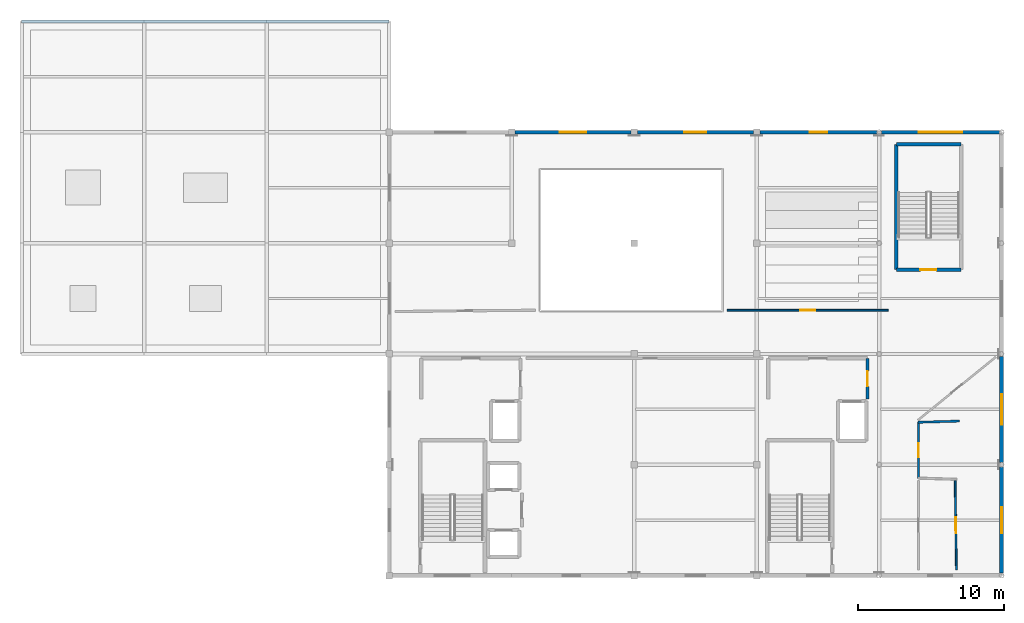
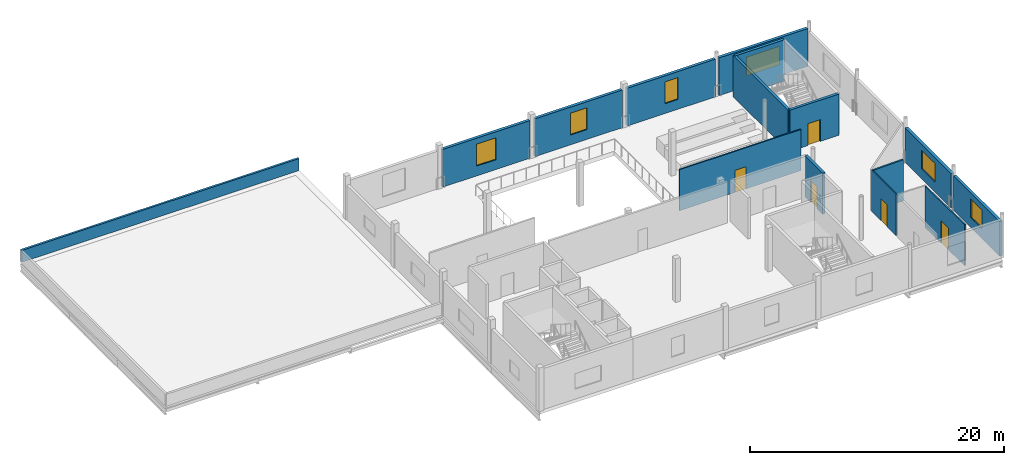
# One storey, part 7 of 13: 15 walls, 6 windows, 5 doors, 11 openings.
"""IFC4 building model written with IfcOpenShell, lengths in metres."""

from ifc_helpers import new_model, si_unit, direction, frame, frame_2d, origin, place, context, subcontext, project, spatial, rectangle, extrude, material, layer, layer_set, type_object, element, fill, save


model = new_model("IFC4")

# Units and contexts
model_context = context("Model", 3, precision=1e-05, world=origin(), true_north=direction((0.0, 1.0)))
body_context = subcontext(model_context, "Body", "Model", "MODEL_VIEW")
ifc_project = project(units=[si_unit("LENGTHUNIT", "METRE"), si_unit("AREAUNIT", "SQUARE_METRE"), si_unit("VOLUMEUNIT", "CUBIC_METRE"), si_unit("PLANEANGLEUNIT", "RADIAN"), si_unit("MASSUNIT", "GRAM", prefix="KILO")], contexts=[model_context])

# Site, building, storey
site_placement = place(None, origin())
site = spatial("IfcSite", under=ifc_project, at=site_placement, CompositionType="ELEMENT")
building_placement = place(site_placement, origin())
building = spatial("IfcBuilding", under=site, at=building_placement, Name="Zuvorla Pavilion Media Centre", CompositionType="ELEMENT")
storey_placement = place(building_placement, frame((0.0, 0.0, 22.199951171875)))
storey = spatial("IfcBuildingStorey", under=building, at=storey_placement, Name="L05", CompositionType="ELEMENT", Elevation=22.199951171875)

# Wall, opening, door
ifc_material_1 = material(Name="Acoustic masonry blockwork C32/40", Category="masonry")
ifc_layer_1 = layer(ifc_material_1, 0.219970703125)
ifc_layer_set_1 = layer_set([ifc_layer_1], Name="Acoustic masonry blockwork C32/40")
wall_type_1 = type_object("IfcWallType", Name="WL-CMP-220", PredefinedType="SOLIDWALL", material=ifc_layer_set_1)
wall_1_placement = place(storey_placement, frame((99.60009765625, 18.10009765625, 0.0), z_axis=(0.0, 0.0, 1.0), x_axis=(0.0, 1.0, 0.0)))
wall_1 = element("IfcWall", 1, at=wall_1_placement, inside=storey, type_object=wall_type_1, Name="L05 solid wall IW22 198", PredefinedType="SOLIDWALL", context=body_context, shape_type="SweptSolid", body=[
    extrude(rectangle(XDim=2.7998046875, YDim=0.219970703125, at=frame_2d((1.39990234375, 0.0))), origin(), (0.0, 0.0, 1.0), 3.949951171875),
])
opening_1_placement = place(wall_1_placement, frame((0.875, 0.0, 0.0)))
opening_1 = element("IfcOpeningElement", 2, at=opening_1_placement, cuts=wall_1, Name="Opening FD04", PredefinedType="OPENING", context=body_context, shape_type="SweptSolid", body=[
    extrude(rectangle(XDim=1.050048828125, YDim=2.10009765625, at=frame_2d((0.52490234375, 1.050048828125))), frame((0.0, 0.119873046875, 0.0), z_axis=(0.0, -1.0, 0.0), x_axis=(1.0, 0.0, 0.0)), (0.0, 0.0, 1.0), 0.239990234375),
])
ifc_material_2 = material(Name="Acoustic timber fire door leaf in steel frame", Category="steel")
door_type_1 = type_object("IfcDoorType", Name="DR-INT-FD04", OperationType="NOTDEFINED", PredefinedType="DOOR", material=ifc_material_2)
door_1_placement = place(opening_1_placement, origin())
door_1 = element("IfcDoor", 3, at=door_1_placement, inside=storey, type_object=door_type_1, Name="Firefighting lobby 2 access door FD04 77", OperationType="SINGLE_SWING_LEFT", OverallHeight=2.10009765625, OverallWidth=1.050048828125, PredefinedType="DOOR", context=body_context, shape_type="SweptSolid", body=[
    extrude(rectangle(XDim=1.050048828125, YDim=2.10009765625, at=frame_2d((0.52490234375, 1.050048828125))), frame((0.0, 0.02490234375, 0.0), z_axis=(0.0, -1.0, 0.0), x_axis=(1.0, 0.0, 0.0)), (0.0, 0.0, 1.0), 0.050048828125),
])
fill(opening_1, door_1)

# Walls
ifc_material_3 = material(Name="Concrete C40/50", Category="concrete")
ifc_layer_2 = layer(ifc_material_3, 0.25)
ifc_layer_set_2 = layer_set([ifc_layer_2], Name="Concrete C40/50")
wall_type_2 = type_object("IfcWallType", Name="WL-COR-250", PredefinedType="SHEAR", material=ifc_layer_set_2)
wall_2_placement = place(storey_placement, frame((101.574951171875, 26.97509765625, 0.0), z_axis=(0.0, 0.0, 1.0), x_axis=(0.0, 1.0, 0.0)))
element("IfcWall", 4, at=wall_2_placement, inside=storey, type_object=wall_type_2, Name="L05 shear wall CW25 325", PredefinedType="SHEAR", context=body_context, shape_type="SweptSolid", body=[
    extrude(rectangle(XDim=8.599853515625, YDim=0.25, at=frame_2d((4.2998046875, 0.0))), origin(), (0.0, 0.0, 1.0), 3.9599609375),
])
wall_3_placement = place(storey_placement, frame((101.574951171875, 35.574951171875, 0.0), z_axis=(0.0, 0.0, 1.0), x_axis=(1.0, 0.0, 0.0)))
element("IfcWall", 5, at=wall_3_placement, inside=storey, type_object=wall_type_2, Name="L05 shear wall CW25 327", PredefinedType="SHEAR", context=body_context, shape_type="SweptSolid", body=[
    extrude(rectangle(XDim=4.449951171875, YDim=0.25, at=frame_2d((2.22509765625, 0.0))), origin(), (0.0, 0.0, 1.0), 3.9599609375),
])

# Wall, opening, door
wall_4_placement = place(storey_placement, frame((101.574951171875, 26.97509765625, 0.0), z_axis=(0.0, 0.0, 1.0), x_axis=(1.0, 0.0, 0.0)))
wall_4 = element("IfcWall", 6, at=wall_4_placement, inside=storey, type_object=wall_type_2, Name="L05 shear wall CW25 328", PredefinedType="SHEAR", context=body_context, shape_type="SweptSolid", body=[
    extrude(rectangle(XDim=4.449951171875, YDim=0.25, at=frame_2d((2.22509765625, 0.0))), origin(), (0.0, 0.0, 1.0), 3.9599609375),
])
opening_2_placement = place(wall_4_placement, frame((1.64990234375, 0.0, 0.0)))
opening_2 = element("IfcOpeningElement", 7, at=opening_2_placement, cuts=wall_4, Name="Opening FD05", PredefinedType="OPENING", context=body_context, shape_type="SweptSolid", body=[
    extrude(rectangle(XDim=1.10009765625, YDim=2.10009765625, at=frame_2d((0.550048828125, 1.050048828125))), frame((0.0, 0.135009765625, 0.0), z_axis=(0.0, -1.0, 0.0), x_axis=(1.0, 0.0, 0.0)), (0.0, 0.0, 1.0), 0.27001953125),
])
door_type_2 = type_object("IfcDoorType", Name="DR-INT-FD05", OperationType="NOTDEFINED", PredefinedType="DOOR", material=ifc_material_2)
door_2_placement = place(opening_2_placement, frame((1.10009765625, 0.0, 0.0), z_axis=(0.0, 0.0, 1.0), x_axis=(-1.0, 0.0, 0.0)))
door_2 = element("IfcDoor", 8, at=door_2_placement, inside=storey, type_object=door_type_2, Name="Stair ST-04 fire door FD05 111", OperationType="SINGLE_SWING_RIGHT", OverallHeight=2.10009765625, OverallWidth=1.10009765625, PredefinedType="DOOR", context=body_context, shape_type="SweptSolid", body=[
    extrude(rectangle(XDim=1.10009765625, YDim=2.10009765625, at=frame_2d((0.550048828125, 1.050048828125))), frame((0.0, 0.02490234375, 0.0), z_axis=(0.0, -1.0, 0.0), x_axis=(1.0, 0.0, 0.0)), (0.0, 0.0, 1.0), 0.050048828125),
])
fill(opening_2, door_2)

# Wall, opening, window
ifc_material_4 = material(Name="White rendered concrete C32/40", Category="concrete")
ifc_layer_3 = layer(ifc_material_4, 0.260009765625)
ifc_layer_set_3 = layer_set([ifc_layer_3], Name="White rendered concrete C32/40")
wall_type_3 = type_object("IfcWallType", Name="WL-EXT-260", PredefinedType="SOLIDWALL", material=ifc_layer_set_3)
wall_5_placement = place(storey_placement, frame((108.800048828125, 6.162109375, 0.0), z_axis=(0.0, 0.0, 1.0), x_axis=(0.0, 1.0, 0.0)))
wall_5 = element("IfcWall", 9, at=wall_5_placement, inside=storey, type_object=wall_type_3, Name="L05 exterior solid wall EW04 304", PredefinedType="SOLIDWALL", context=body_context, shape_type="SweptSolid", body=[
    extrude(rectangle(XDim=7.27587890625, YDim=0.260009765625, at=frame_2d((3.637939453125, 0.0))), origin(), (0.0, 0.0, 1.0), 3.31494140625),
])
opening_3_placement = place(wall_5_placement, frame((2.738037109375, 0.0, 0.949951171875)))
opening_3 = element("IfcOpeningElement", 10, at=opening_3_placement, cuts=wall_5, Name="Opening WN12", PredefinedType="OPENING", context=body_context, shape_type="SweptSolid", body=[
    extrude(rectangle(XDim=1.800048828125, YDim=1.800048828125, at=frame_2d((0.89990234375, 0.89990234375))), frame((0.0, 0.139892578125, 0.0), z_axis=(0.0, -1.0, 0.0), x_axis=(1.0, 0.0, 0.0)), (0.0, 0.0, 1.0), 0.280029296875),
])
ifc_material_5 = material(Name="Anodised aluminium frame with solar double glazing", Category="aluminium")
window_type_1 = type_object("IfcWindowType", Name="WIN-WN12", PartitioningType="DOUBLE_PANEL_VERTICAL", PredefinedType="WINDOW", material=ifc_material_5)
window_1_placement = place(opening_3_placement, origin())
window_1 = element("IfcWindow", 11, at=window_1_placement, inside=storey, type_object=window_type_1, Name="L05 window WN12 124", OverallHeight=1.800048828125, OverallWidth=1.800048828125, PartitioningType="DOUBLE_PANEL_VERTICAL", PredefinedType="WINDOW", context=body_context, shape_type="SweptSolid", body=[
    extrude(rectangle(XDim=1.800048828125, YDim=1.800048828125, at=frame_2d((0.89990234375, 0.89990234375))), frame((0.0, 0.030029296875, 0.0), z_axis=(0.0, -1.0, 0.0), x_axis=(1.0, 0.0, 0.0)), (0.0, 0.0, 1.0), 0.06005859375),
])
fill(opening_3, window_1)

wall_6_placement = place(storey_placement, frame((108.800048828125, 13.761962890625, 0.0), z_axis=(0.0, 0.0, 1.0), x_axis=(0.0, 1.0, 0.0)))
wall_6 = element("IfcWall", 12, at=wall_6_placement, inside=storey, type_object=wall_type_3, Name="L05 exterior solid wall EW04 305", PredefinedType="SOLIDWALL", context=body_context, shape_type="SweptSolid", body=[
    extrude(rectangle(XDim=7.276123046875, YDim=0.260009765625, at=frame_2d((3.63818359375, 0.0))), origin(), (0.0, 0.0, 1.0), 3.31494140625),
])
opening_4_placement = place(wall_6_placement, frame((2.587890625, 0.0, 0.949951171875)))
opening_4 = element("IfcOpeningElement", 13, at=opening_4_placement, cuts=wall_6, Name="Opening WN13", PredefinedType="OPENING", context=body_context, shape_type="SweptSolid", body=[
    extrude(rectangle(XDim=2.10009765625, YDim=1.800048828125, at=frame_2d((1.050048828125, 0.89990234375))), frame((0.0, 0.139892578125, 0.0), z_axis=(0.0, -1.0, 0.0), x_axis=(1.0, 0.0, 0.0)), (0.0, 0.0, 1.0), 0.280029296875),
])
window_type_2 = type_object("IfcWindowType", Name="WIN-WN13", PartitioningType="DOUBLE_PANEL_VERTICAL", PredefinedType="WINDOW", material=ifc_material_5)
window_2_placement = place(opening_4_placement, origin())
window_2 = element("IfcWindow", 14, at=window_2_placement, inside=storey, type_object=window_type_2, Name="L05 window WN13 125", OverallHeight=1.800048828125, OverallWidth=2.10009765625, PartitioningType="DOUBLE_PANEL_VERTICAL", PredefinedType="WINDOW", context=body_context, shape_type="SweptSolid", body=[
    extrude(rectangle(XDim=2.10009765625, YDim=1.800048828125, at=frame_2d((1.050048828125, 0.89990234375))), frame((0.0, 0.030029296875, 0.0), z_axis=(0.0, -1.0, 0.0), x_axis=(1.0, 0.0, 0.0)), (0.0, 0.0, 1.0), 0.06005859375),
])
fill(opening_4, window_2)

wall_7_placement = place(storey_placement, frame((108.637939453125, 36.39990234375, 0.0), z_axis=(0.0, 0.0, 1.0), x_axis=(-1.0, 0.0, 0.0)))
wall_7 = element("IfcWall", 15, at=wall_7_placement, inside=storey, type_object=wall_type_3, Name="L05 exterior solid wall EW04 308", PredefinedType="SOLIDWALL", context=body_context, shape_type="SweptSolid", body=[
    extrude(rectangle(XDim=8.075927734375, YDim=0.260009765625, at=frame_2d((4.0380859375, 0.0))), origin(), (0.0, 0.0, 1.0), 3.626953125),
])
opening_5_placement = place(wall_7_placement, frame((2.5380859375, 0.0, 0.949951171875)))
opening_5 = element("IfcOpeningElement", 16, at=opening_5_placement, cuts=wall_7, Name="Opening WN16", PredefinedType="OPENING", context=body_context, shape_type="SweptSolid", body=[
    extrude(rectangle(XDim=3.0, YDim=1.800048828125, at=frame_2d((1.5, 0.89990234375))), frame((0.0, 0.139892578125, 0.0), z_axis=(0.0, -1.0, 0.0), x_axis=(1.0, 0.0, 0.0)), (0.0, 0.0, 1.0), 0.280029296875),
])
window_type_3 = type_object("IfcWindowType", Name="WIN-WN16", PartitioningType="DOUBLE_PANEL_VERTICAL", PredefinedType="WINDOW", material=ifc_material_5)
window_3_placement = place(opening_5_placement, origin())
window_3 = element("IfcWindow", 17, at=window_3_placement, inside=storey, type_object=window_type_3, Name="L05 window WN16 128", OverallHeight=1.800048828125, OverallWidth=3.0, PartitioningType="DOUBLE_PANEL_VERTICAL", PredefinedType="WINDOW", context=body_context, shape_type="SweptSolid", body=[
    extrude(rectangle(XDim=3.0, YDim=1.800048828125, at=frame_2d((1.5, 0.89990234375))), frame((0.0, 0.030029296875, 0.0), z_axis=(0.0, -1.0, 0.0), x_axis=(1.0, 0.0, 0.0)), (0.0, 0.0, 1.0), 0.06005859375),
])
fill(opening_5, window_3)

wall_8_placement = place(storey_placement, frame((100.238037109375, 36.39990234375, 0.0), z_axis=(0.0, 0.0, 1.0), x_axis=(-1.0, 0.0, 0.0)))
wall_8 = element("IfcWall", 18, at=wall_8_placement, inside=storey, type_object=wall_type_3, Name="L05 exterior solid wall EW04 309", PredefinedType="SOLIDWALL", context=body_context, shape_type="SweptSolid", body=[
    extrude(rectangle(XDim=8.012939453125, YDim=0.260009765625, at=frame_2d((4.00634765625, 0.0))), origin(), (0.0, 0.0, 1.0), 3.626953125),
])
opening_6_placement = place(wall_8_placement, frame((3.406494140625, 0.0, 0.949951171875)))
opening_6 = element("IfcOpeningElement", 19, at=opening_6_placement, cuts=wall_8, Name="Opening WN17", PredefinedType="OPENING", context=body_context, shape_type="SweptSolid", body=[
    extrude(rectangle(XDim=1.199951171875, YDim=2.10009765625, at=frame_2d((0.60009765625, 1.050048828125))), frame((0.0, 0.139892578125, 0.0), z_axis=(0.0, -1.0, 0.0), x_axis=(1.0, 0.0, 0.0)), (0.0, 0.0, 1.0), 0.280029296875),
])
window_type_4 = type_object("IfcWindowType", Name="WIN-WN17", PartitioningType="SINGLE_PANEL", PredefinedType="WINDOW", material=ifc_material_5)
window_4_placement = place(opening_6_placement, origin())
window_4 = element("IfcWindow", 20, at=window_4_placement, inside=storey, type_object=window_type_4, Name="L05 window WN17 129", OverallHeight=2.10009765625, OverallWidth=1.199951171875, PartitioningType="SINGLE_PANEL", PredefinedType="WINDOW", context=body_context, shape_type="SweptSolid", body=[
    extrude(rectangle(XDim=1.199951171875, YDim=2.10009765625, at=frame_2d((0.60009765625, 1.050048828125))), frame((0.0, 0.030029296875, 0.0), z_axis=(0.0, -1.0, 0.0), x_axis=(1.0, 0.0, 0.0)), (0.0, 0.0, 1.0), 0.06005859375),
])
fill(opening_6, window_4)

wall_9_placement = place(storey_placement, frame((91.77490234375, 36.39990234375, 0.0), z_axis=(0.0, 0.0, 1.0), x_axis=(-1.0, 0.0, 0.0)))
wall_9 = element("IfcWall", 21, at=wall_9_placement, inside=storey, type_object=wall_type_3, Name="L05 exterior solid wall EW04 310", PredefinedType="SOLIDWALL", context=body_context, shape_type="SweptSolid", body=[
    extrude(rectangle(XDim=7.949951171875, YDim=0.260009765625, at=frame_2d((3.97509765625, 0.0))), origin(), (0.0, 0.0, 1.0), 3.626953125),
])
opening_7_placement = place(wall_9_placement, frame((3.22509765625, 0.0, 0.949951171875)))
opening_7 = element("IfcOpeningElement", 22, at=opening_7_placement, cuts=wall_9, Name="Opening WN18", PredefinedType="OPENING", context=body_context, shape_type="SweptSolid", body=[
    extrude(rectangle(XDim=1.5, YDim=2.10009765625, at=frame_2d((0.75, 1.050048828125))), frame((0.0, 0.139892578125, 0.0), z_axis=(0.0, -1.0, 0.0), x_axis=(1.0, 0.0, 0.0)), (0.0, 0.0, 1.0), 0.280029296875),
])
window_type_5 = type_object("IfcWindowType", Name="WIN-WN18", PartitioningType="SINGLE_PANEL", PredefinedType="WINDOW", material=ifc_material_5)
window_5_placement = place(opening_7_placement, origin())
window_5 = element("IfcWindow", 23, at=window_5_placement, inside=storey, type_object=window_type_5, Name="L05 window WN18 130", OverallHeight=2.10009765625, OverallWidth=1.5, PartitioningType="SINGLE_PANEL", PredefinedType="WINDOW", context=body_context, shape_type="SweptSolid", body=[
    extrude(rectangle(XDim=1.5, YDim=2.10009765625, at=frame_2d((0.75, 1.050048828125))), frame((0.0, 0.030029296875, 0.0), z_axis=(0.0, -1.0, 0.0), x_axis=(1.0, 0.0, 0.0)), (0.0, 0.0, 1.0), 0.06005859375),
])
fill(opening_7, window_5)

wall_10_placement = place(storey_placement, frame((83.375, 36.39990234375, 0.0), z_axis=(0.0, 0.0, 1.0), x_axis=(-1.0, 0.0, 0.0)))
wall_10 = element("IfcWall", 24, at=wall_10_placement, inside=storey, type_object=wall_type_3, Name="L05 exterior solid wall EW04 311", PredefinedType="SOLIDWALL", context=body_context, shape_type="SweptSolid", body=[
    extrude(rectangle(XDim=7.949951171875, YDim=0.260009765625, at=frame_2d((3.97509765625, 0.0))), origin(), (0.0, 0.0, 1.0), 3.626953125),
])
opening_8_placement = place(wall_10_placement, frame((3.074951171875, 0.0, 0.949951171875)))
opening_8 = element("IfcOpeningElement", 25, at=opening_8_placement, cuts=wall_10, Name="Opening WN19", PredefinedType="OPENING", context=body_context, shape_type="SweptSolid", body=[
    extrude(rectangle(XDim=1.800048828125, YDim=2.10009765625, at=frame_2d((0.89990234375, 1.050048828125))), frame((0.0, 0.139892578125, 0.0), z_axis=(0.0, -1.0, 0.0), x_axis=(1.0, 0.0, 0.0)), (0.0, 0.0, 1.0), 0.280029296875),
])
window_type_6 = type_object("IfcWindowType", Name="WIN-WN19", PartitioningType="DOUBLE_PANEL_VERTICAL", PredefinedType="WINDOW", material=ifc_material_5)
window_6_placement = place(opening_8_placement, origin())
window_6 = element("IfcWindow", 26, at=window_6_placement, inside=storey, type_object=window_type_6, Name="L05 window WN19 131", OverallHeight=2.10009765625, OverallWidth=1.800048828125, PartitioningType="DOUBLE_PANEL_VERTICAL", PredefinedType="WINDOW", context=body_context, shape_type="SweptSolid", body=[
    extrude(rectangle(XDim=1.800048828125, YDim=2.10009765625, at=frame_2d((0.89990234375, 1.050048828125))), frame((0.0, 0.030029296875, 0.0), z_axis=(0.0, -1.0, 0.0), x_axis=(1.0, 0.0, 0.0)), (0.0, 0.0, 1.0), 0.06005859375),
])
fill(opening_8, window_6)

# Wall
ifc_material_6 = material(Name="Precast concrete C40/50", Category="concrete")
ifc_layer_4 = layer(ifc_material_6, 0.18994140625)
ifc_layer_set_4 = layer_set([ifc_layer_4], Name="Precast concrete C40/50")
wall_type_4 = type_object("IfcWallType", Name="WL-PAR-190", PredefinedType="PARAPET", material=ifc_layer_set_4)
wall_11_placement = place(storey_placement, frame((41.60009765625, 44.0, 0.0), z_axis=(0.0, 0.0, 1.0), x_axis=(1.0, 0.0, 0.0)))
element("IfcWall", 27, at=wall_11_placement, inside=storey, type_object=wall_type_4, Name="L05 exterior parapet WP02 340", PredefinedType="PARAPET", context=body_context, shape_type="SweptSolid", body=[
    extrude(rectangle(XDim=25.199951171875, YDim=0.18994140625, at=frame_2d((12.60009765625, 0.0))), origin(), (0.0, 0.0, 1.0), 1.150146484375),
])

# Wall, opening, door
ifc_material_7 = material(Name="Lightweight gypsum partition")
ifc_layer_5 = layer(ifc_material_7, 0.1201171875)
ifc_layer_set_5 = layer_set([ifc_layer_5], Name="Lightweight gypsum partition")
wall_type_5 = type_object("IfcWallType", Name="WL-PRT-120", PredefinedType="PARTITIONING", material=ifc_layer_set_5)
wall_12_placement = place(storey_placement, frame((103.09130859375, 12.679931640625, 0.0), z_axis=(0.0, 0.0, 1.0), x_axis=(0.002098030858, 0.999997799131, 0.0)))
wall_12 = element("IfcWall", 28, at=wall_12_placement, inside=storey, type_object=wall_type_5, Name="L05 partition PT12 559", PredefinedType="PARTITIONING", context=body_context, shape_type="SweptSolid", body=[
    extrude(rectangle(XDim=3.840087890625, YDim=0.1201171875, at=frame_2d((1.919921875, 0.0))), origin(), (0.0, 0.0, 1.0), 3.949951171875),
])
opening_9_placement = place(wall_12_placement, frame((1.429931640625, 0.0, 0.0)))
opening_9 = element("IfcOpeningElement", 29, at=opening_9_placement, cuts=wall_12, Name="Opening ID03", PredefinedType="OPENING", context=body_context, shape_type="SweptSolid", body=[
    extrude(rectangle(XDim=0.97998046875, YDim=2.080078125, at=frame_2d((0.489990234375, 1.0400390625))), frame((0.0, 0.070068359375, 0.0), z_axis=(0.0, -1.0, 0.0), x_axis=(1.0, 0.0, 0.0)), (0.0, 0.0, 1.0), 0.14013671875),
])
ifc_material_8 = material(Name="Hardwood acoustic studio door in anodised frame", Category="wood")
door_type_3 = type_object("IfcDoorType", Name="DR-UNR-ID03", OperationType="NOTDEFINED", PredefinedType="DOOR", material=ifc_material_8)
door_3_placement = place(opening_9_placement, origin())
door_3 = element("IfcDoor", 30, at=door_3_placement, inside=storey, type_object=door_type_3, Name="Interior door ID03 247", OperationType="SINGLE_SWING_RIGHT", OverallHeight=2.080078125, OverallWidth=0.97998046875, PredefinedType="DOOR", context=body_context, shape_type="SweptSolid", body=[
    extrude(rectangle(XDim=0.97998046875, YDim=2.080078125, at=frame_2d((0.489990234375, 1.0400390625))), frame((0.0, 0.02490234375, 0.0), z_axis=(0.0, -1.0, 0.0), x_axis=(1.0, 0.0, 0.0)), (0.0, 0.0, 1.0), 0.050048828125),
])
fill(opening_9, door_3)

wall_13_placement = place(storey_placement, frame((89.98046875, 24.199951171875, 0.0), z_axis=(0.0, 0.0, 1.0), x_axis=(1.0, 0.0, 0.0)))
wall_13 = element("IfcWall", 31, at=wall_13_placement, inside=storey, type_object=wall_type_5, Name="L05 partition PT12 563", PredefinedType="PARTITIONING", context=body_context, shape_type="SweptSolid", body=[
    extrude(rectangle(XDim=11.0390625, YDim=0.1201171875, at=frame_2d((5.51953125, 0.0))), origin(), (0.0, 0.0, 1.0), 3.949951171875),
])
opening_10_placement = place(wall_13_placement, frame((5.009521484375, 0.0, 0.0)))
opening_10 = element("IfcOpeningElement", 32, at=opening_10_placement, cuts=wall_13, Name="Opening ID04", PredefinedType="OPENING", context=body_context, shape_type="SweptSolid", body=[
    extrude(rectangle(XDim=1.02001953125, YDim=2.1201171875, at=frame_2d((0.510009765625, 1.06005859375))), frame((0.0, 0.070068359375, 0.0), z_axis=(0.0, -1.0, 0.0), x_axis=(1.0, 0.0, 0.0)), (0.0, 0.0, 1.0), 0.14013671875),
])
door_type_4 = type_object("IfcDoorType", Name="DR-UNR-ID04", OperationType="NOTDEFINED", PredefinedType="DOOR", material=ifc_material_8)
door_4_placement = place(opening_10_placement, origin())
door_4 = element("IfcDoor", 33, at=door_4_placement, inside=storey, type_object=door_type_4, Name="Interior door ID04 251", OperationType="SINGLE_SWING_RIGHT", OverallHeight=2.1201171875, OverallWidth=1.02001953125, PredefinedType="DOOR", context=body_context, shape_type="SweptSolid", body=[
    extrude(rectangle(XDim=1.02001953125, YDim=2.1201171875, at=frame_2d((0.510009765625, 1.06005859375))), frame((0.0, 0.02490234375, 0.0), z_axis=(0.0, -1.0, 0.0), x_axis=(1.0, 0.0, 0.0)), (0.0, 0.0, 1.0), 0.050048828125),
])
fill(opening_10, door_4)

wall_14_placement = place(storey_placement, frame((105.611083984375, 12.510009765625, 0.0), z_axis=(0.0, 0.0, 1.0), x_axis=(0.014542754085, -0.99989424856, 0.0)))
wall_14 = element("IfcWall", 34, at=wall_14_placement, inside=storey, type_object=wall_type_5, Name="L05 partition PT12 567", PredefinedType="PARTITIONING", context=body_context, shape_type="SweptSolid", body=[
    extrude(rectangle(XDim=6.11083984375, YDim=0.1201171875, at=frame_2d((3.055419921875, 0.0))), origin(), (0.0, 0.0, 1.0), 3.949951171875),
])
opening_11_placement = place(wall_14_placement, frame((2.515380859375, 0.0, 0.0)))
opening_11 = element("IfcOpeningElement", 35, at=opening_11_placement, cuts=wall_14, Name="Opening ID05", PredefinedType="OPENING", context=body_context, shape_type="SweptSolid", body=[
    extrude(rectangle(XDim=1.080078125, YDim=2.1201171875, at=frame_2d((0.5400390625, 1.06005859375))), frame((0.0, 0.070068359375, 0.0), z_axis=(0.0, -1.0, 0.0), x_axis=(1.0, 0.0, 0.0)), (0.0, 0.0, 1.0), 0.14013671875),
])
door_type_5 = type_object("IfcDoorType", Name="DR-UNR-ID05", OperationType="NOTDEFINED", PredefinedType="DOOR", material=ifc_material_8)
door_5_placement = place(opening_11_placement, origin())
door_5 = element("IfcDoor", 36, at=door_5_placement, inside=storey, type_object=door_type_5, Name="Interior door ID05 253", OperationType="SINGLE_SWING_RIGHT", OverallHeight=2.1201171875, OverallWidth=1.080078125, PredefinedType="DOOR", context=body_context, shape_type="SweptSolid", body=[
    extrude(rectangle(XDim=1.080078125, YDim=2.1201171875, at=frame_2d((0.5400390625, 1.06005859375))), frame((0.0, 0.02490234375, 0.0), z_axis=(0.0, -1.0, 0.0), x_axis=(1.0, 0.0, 0.0)), (0.0, 0.0, 1.0), 0.050048828125),
])
fill(opening_11, door_5)

# Wall
ifc_material_9 = material(Name="Acoustic gypsum stud partition")
ifc_layer_6 = layer(ifc_material_9, 0.14990234375)
ifc_layer_set_6 = layer_set([ifc_layer_6], Name="Acoustic gypsum stud partition")
wall_type_6 = type_object("IfcWallType", Name="WL-PRT-150", PredefinedType="PARTITIONING", material=ifc_layer_set_6)
wall_15_placement = place(storey_placement, frame((103.080078125, 16.512939453125, 0.0), z_axis=(0.0, 0.0, 1.0), x_axis=(0.999555337587, 0.029818234366, 0.0)))
element("IfcWall", 37, at=wall_15_placement, inside=storey, type_object=wall_type_6, Name="L05 partition PT15 566", PredefinedType="PARTITIONING", context=body_context, shape_type="SweptSolid", body=[
    extrude(rectangle(XDim=2.841064453125, YDim=0.14990234375, at=frame_2d((1.42041015625, 0.0))), origin(), (0.0, 0.0, 1.0), 3.949951171875),
])

save(model, "model.ifc")
